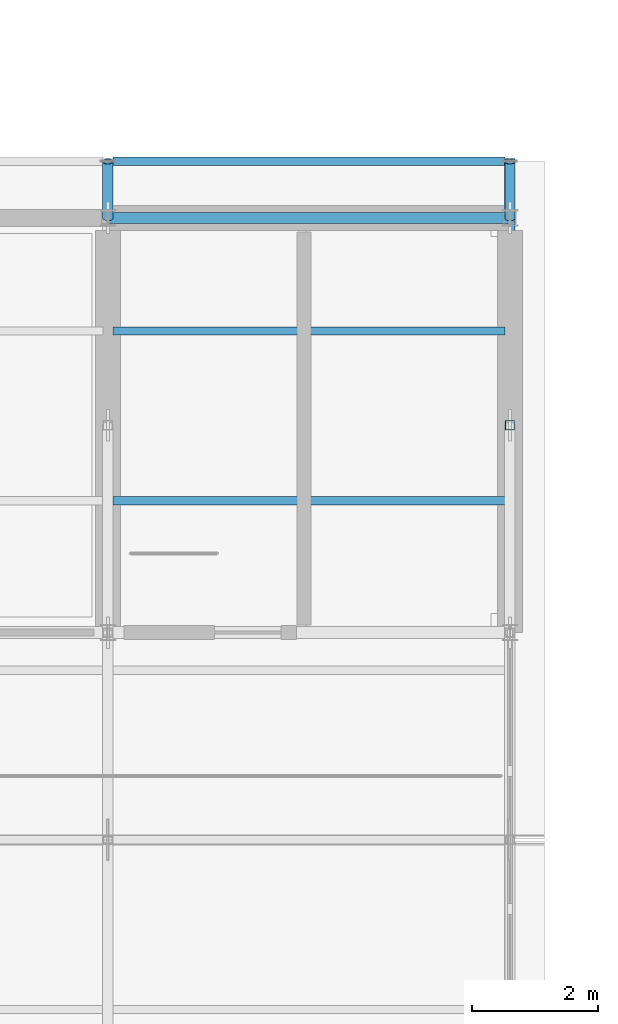
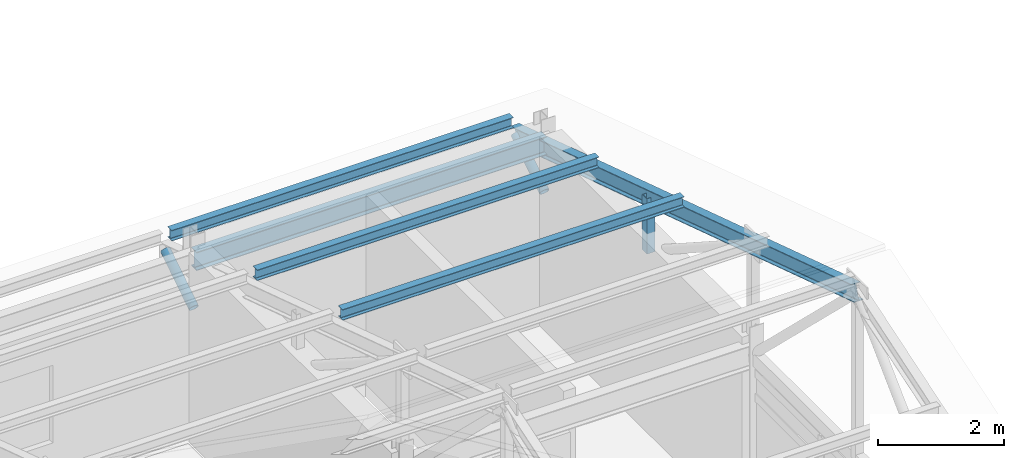
# One storey, part 17 of 57: 7 members, 1 beam.
"""IFC4 building model written with IfcOpenShell, lengths in metres."""

from ifc_helpers import new_model, si_unit, direction, frame, origin, origin_2d, place, context, subcontext, project, spatial, hollow_rectangle, hollow_circle, i_section, extrude, material, material_profile, profile_set, type_object, element, save


model = new_model("IFC4")

# Units and contexts
model_context = context("Model", 3, precision=1e-05, world=origin(), true_north=direction((0.0, 1.0)))
body_context = subcontext(model_context, "Body", "Model", "MODEL_VIEW")
ifc_project = project(units=[si_unit("LENGTHUNIT", "METRE"), si_unit("AREAUNIT", "SQUARE_METRE"), si_unit("VOLUMEUNIT", "CUBIC_METRE"), si_unit("PLANEANGLEUNIT", "RADIAN"), si_unit("MASSUNIT", "GRAM", prefix="KILO")], contexts=[model_context])

# Site, building, storey
site_placement = place(None, origin())
site = spatial("IfcSite", under=ifc_project, at=site_placement, CompositionType="ELEMENT")
building_placement = place(site_placement, origin())
building = spatial("IfcBuilding", under=site, at=building_placement, Name="Trelmorton Wharf Fire Station", CompositionType="ELEMENT")
storey_placement = place(building_placement, frame((0.0, 0.0, 13.5)))
storey = spatial("IfcBuildingStorey", under=building, at=storey_placement, Name="L03", CompositionType="ELEMENT", Elevation=13.5)

# Members
ifc_material_1 = material(Name="Steel Grade 300 (300 MPa)", Category="steel")
ifc_material_profile_1 = material_profile(ifc_material_1, i_section(OverallWidth=0.134033203125, OverallDepth=0.20703125, WebThickness=0.00634765625, FlangeThickness=0.009521484375, FilletRadius=0.0087890625, at=origin_2d()), Name="200UB29.8")
ifc_profile_set_1 = profile_set([ifc_material_profile_1], Name="Steel Grade 300 (300 MPa)")
member_type_1 = type_object("IfcMemberType", Name="PR_200UB30", PredefinedType="PURLIN", material=ifc_profile_set_1)
for number, where, z_axis, x_axis, name in (
    (1, (77.280029296875, 23.10009765625, 5.00048828125), (1.0, 0.0, 0.0), (0.0, 1.0, 0.0), "V3-PR-B04-N2"),
    (2, (77.280029296875, 25.800048828125, 4.127685546875), (1.0, 0.0, 0.0), (0.0, 1.0, 0.0), "V3-PR-B04-N3"),
    (3, (77.280029296875, 28.5, 3.255126953125), (1.0, 0.0, 0.0), (0.0, 1.0, 0.0), "V3-PR-B04-N4"),
):
    element("IfcMember", number, at=place(storey_placement, frame(where, z_axis=z_axis, x_axis=x_axis)), inside=storey, type_object=member_type_1, Name=name, PredefinedType="PURLIN", context=body_context, shape_type="SweptSolid", body=[
        extrude(i_section(OverallWidth=0.134033203125, OverallDepth=0.20703125, WebThickness=0.00634765625, FlangeThickness=0.009521484375, FilletRadius=0.0087890625, at=origin_2d()), origin(), (0.0, 0.0, 1.0), 6.239990234375),
    ])

# Beam
ifc_material_2 = material(Name="Steel Grade 350", Category="steel")
ifc_material_profile_2 = material_profile(ifc_material_2, i_section(OverallWidth=0.1708984375, OverallDepth=0.35595703125, WebThickness=0.00732421875, FlangeThickness=0.011474609375, FilletRadius=0.011474609375, at=origin_2d()), Name="360UB50.7")
ifc_profile_set_2 = profile_set([ifc_material_profile_2], Name="Steel Grade 350")
beam_type = type_object("IfcBeamType", Name="SP_360UB51", PredefinedType="SPANDREL", material=ifc_profile_set_2)
beam_placement = place(storey_placement, frame((77.2041015625, 27.60009765625, 3.342041015625), z_axis=(1.0, 0.0, 0.0), x_axis=(0.0, 1.0, 0.0)))
element("IfcBeam", 4, at=beam_placement, inside=storey, type_object=beam_type, Name="BM-L03-0908", PredefinedType="SPANDREL", context=body_context, shape_type="SweptSolid", body=[
    extrude(i_section(OverallWidth=0.1708984375, OverallDepth=0.35595703125, WebThickness=0.00732421875, FlangeThickness=0.011474609375, FilletRadius=0.011474609375, at=origin_2d()), origin(), (0.0, 0.0, 1.0), 6.391845703125),
])

# Members
ifc_material_3 = material(Name="Steel C350L0 (350 MPa)", Category="steel")
ifc_material_profile_3 = material_profile(ifc_material_3, hollow_circle(Radius=0.084228515625, WallThickness=0.007080078125, at=origin_2d()), Name="168.3x7.1CHS")
ifc_profile_set_3 = profile_set([ifc_material_profile_3], Name="Steel C350L0 (350 MPa)")
member_type_2 = type_object("IfcMemberType", Name="TR_DIAG_168CHS", PredefinedType="STRUT", material=ifc_profile_set_3)
for number, where, z_axis, x_axis, name in (
    (5, (77.199951171875, 27.60009765625, 2.39990234375), (0.0, 0.842586769178, 0.538560615351), (-1.0, 0.0, 0.0), "V3-TR04-EAV-N"),
    (6, (83.60009765625, 27.60009765625, 2.39990234375), (0.0, 0.842586769178, 0.538560615351), (-1.0, 0.0, 0.0), "V3-TR05-EAV-N"),
):
    element("IfcMember", number, at=place(storey_placement, frame(where, z_axis=z_axis, x_axis=x_axis)), inside=storey, type_object=member_type_2, Name=name, PredefinedType="STRUT", context=body_context, shape_type="SweptSolid", body=[
        extrude(hollow_circle(Radius=0.084228515625, WallThickness=0.007080078125, at=origin_2d()), origin(), (0.0, 0.0, 1.0), 1.068115234375),
    ])
ifc_material_profile_4 = material_profile(ifc_material_3, hollow_rectangle(XDim=0.14990234375, YDim=0.14990234375, WallThickness=0.009033203125, at=origin_2d()), Name="150x150x9.0SHS")
ifc_profile_set_4 = profile_set([ifc_material_profile_4], Name="Steel C350L0 (350 MPa)")
member_type_3 = type_object("IfcMemberType", Name="TR_POST_150SHS", PredefinedType="POST", material=ifc_profile_set_4)
member_1_placement = place(storey_placement, frame((83.60009765625, 24.300048828125, 3.265869140625), z_axis=(0.0, 0.0, 1.0), x_axis=(1.0, 0.0, 0.0)))
element("IfcMember", 7, at=member_1_placement, inside=storey, type_object=member_type_3, Name="V3-TR05-VP-N1", PredefinedType="POST", context=body_context, shape_type="SweptSolid", body=[
    extrude(hollow_rectangle(XDim=0.14990234375, YDim=0.14990234375, WallThickness=0.009033203125, at=origin_2d()), origin(), (0.0, 0.0, 1.0), 1.066650390625),
])
ifc_material_profile_5 = material_profile(ifc_material_2, i_section(OverallWidth=0.166015625, OverallDepth=0.306884765625, WebThickness=0.006591796875, FlangeThickness=0.01171875, FilletRadius=0.011474609375, at=origin_2d()), Name="310UB46.2")
ifc_profile_set_5 = profile_set([ifc_material_profile_5], Name="Steel Grade 350")
member_type_4 = type_object("IfcMemberType", Name="TR_RAFT_310UB", PredefinedType="RAFTER", material=ifc_profile_set_5)
member_2_placement = place(storey_placement, frame((83.60009765625, 17.699951171875, 6.4658203125), z_axis=(0.0, 0.951532489935, -0.30754824109), x_axis=(-1.0, 0.0, 0.0)))
element("IfcMember", 8, at=member_2_placement, inside=storey, type_object=member_type_4, Name="V3-TR05-RFN", PredefinedType="RAFTER", context=body_context, shape_type="SweptSolid", body=[
    extrude(i_section(OverallWidth=0.166015625, OverallDepth=0.306884765625, WebThickness=0.006591796875, FlangeThickness=0.01171875, FilletRadius=0.011474609375, at=origin_2d()), origin(), (0.0, 0.0, 1.0), 11.35009765625),
])

save(model, "model.ifc")
